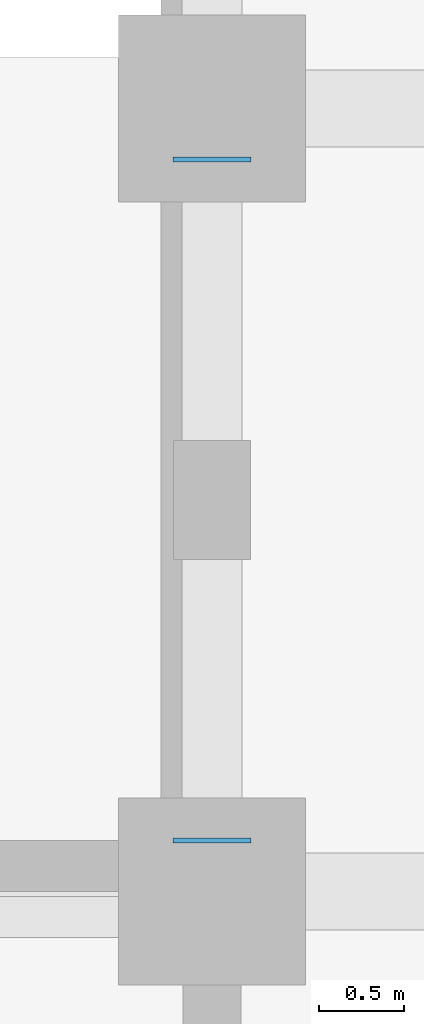
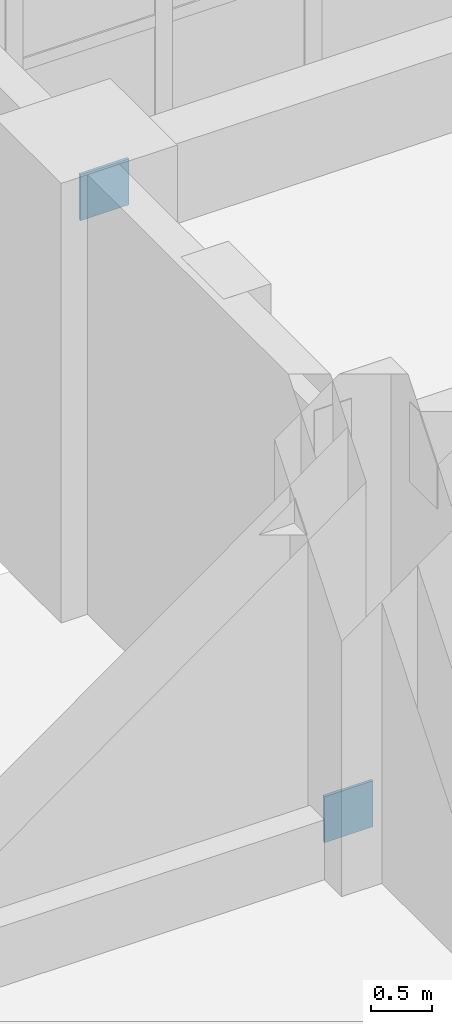
# One storey, part 66 of 90: 2 plates.
"""IFC4 building model written with IfcOpenShell, lengths in metres."""

from ifc_helpers import new_model, si_unit, direction, frame, origin, origin_2d, place, context, subcontext, project, spatial, rectangle, extrude, material, layer, layer_set, type_object, element, save


model = new_model("IFC4")

# Units and contexts
model_context = context("Model", 3, precision=1e-05, world=origin(), true_north=direction((0.0, 1.0)))
body_context = subcontext(model_context, "Body", "Model", "MODEL_VIEW")
ifc_project = project(units=[si_unit("LENGTHUNIT", "METRE"), si_unit("AREAUNIT", "SQUARE_METRE"), si_unit("VOLUMEUNIT", "CUBIC_METRE"), si_unit("PLANEANGLEUNIT", "RADIAN"), si_unit("MASSUNIT", "GRAM", prefix="KILO")], contexts=[model_context])

# Site, building, storey
site_placement = place(None, origin())
site = spatial("IfcSite", under=ifc_project, at=site_placement, CompositionType="ELEMENT")
building_placement = place(site_placement, origin())
building = spatial("IfcBuilding", under=site, at=building_placement, Name="Muzn Square Opera House", CompositionType="ELEMENT")
storey_placement = place(building_placement, frame((0.0, 0.0, 9.800048828125)))
storey = spatial("IfcBuildingStorey", under=building, at=storey_placement, Name="L02", CompositionType="ELEMENT", Elevation=9.800048828125)

# Plates
ifc_material = material(Name="Steel S355", Category="steel")
ifc_layer = layer(ifc_material, 0.028076171875, Name="Steel S355", Category="steel")
ifc_layer_set = layer_set([ifc_layer], Name="Steel S355")
plate_type = type_object("IfcPlateType", Name="Gusset Plate 28mm 460x460", PredefinedType="USERDEFINED", material=ifc_layer_set)
for number, where, z_axis, x_axis, name in (
    (1, (133.0, 22.300048828125, -0.030029296875), (0.0, 0.0, 1.0), (1.0, 0.0, 0.0), "Lateral Brace End Cap Plate SBRC-09-A"),
    (2, (133.0, 26.300048828125, 3.77001953125), (0.0, 0.0, 1.0), (1.0, 0.0, 0.0), "Lateral Brace End Cap Plate SBRC-09-B"),
):
    element("IfcPlate", number, at=place(storey_placement, frame(where, z_axis=z_axis, x_axis=x_axis)), inside=storey, type_object=plate_type, Name=name, ObjectType="GUSSET PLATE", PredefinedType="USERDEFINED", context=body_context, shape_type="SweptSolid", body=[
        extrude(rectangle(XDim=0.4599609375, YDim=0.028076171875, at=origin_2d()), origin(), (0.0, 0.0, 1.0), 0.4599609375),
    ])

save(model, "model.ifc")
